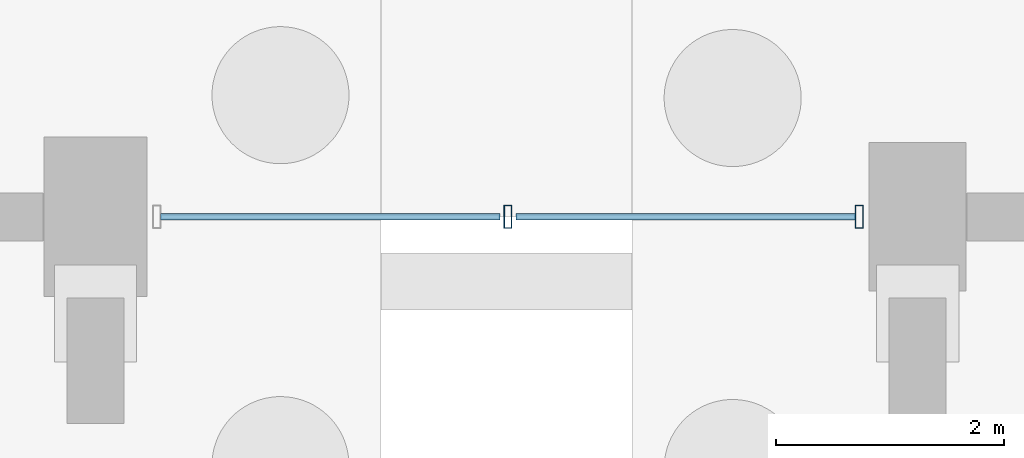
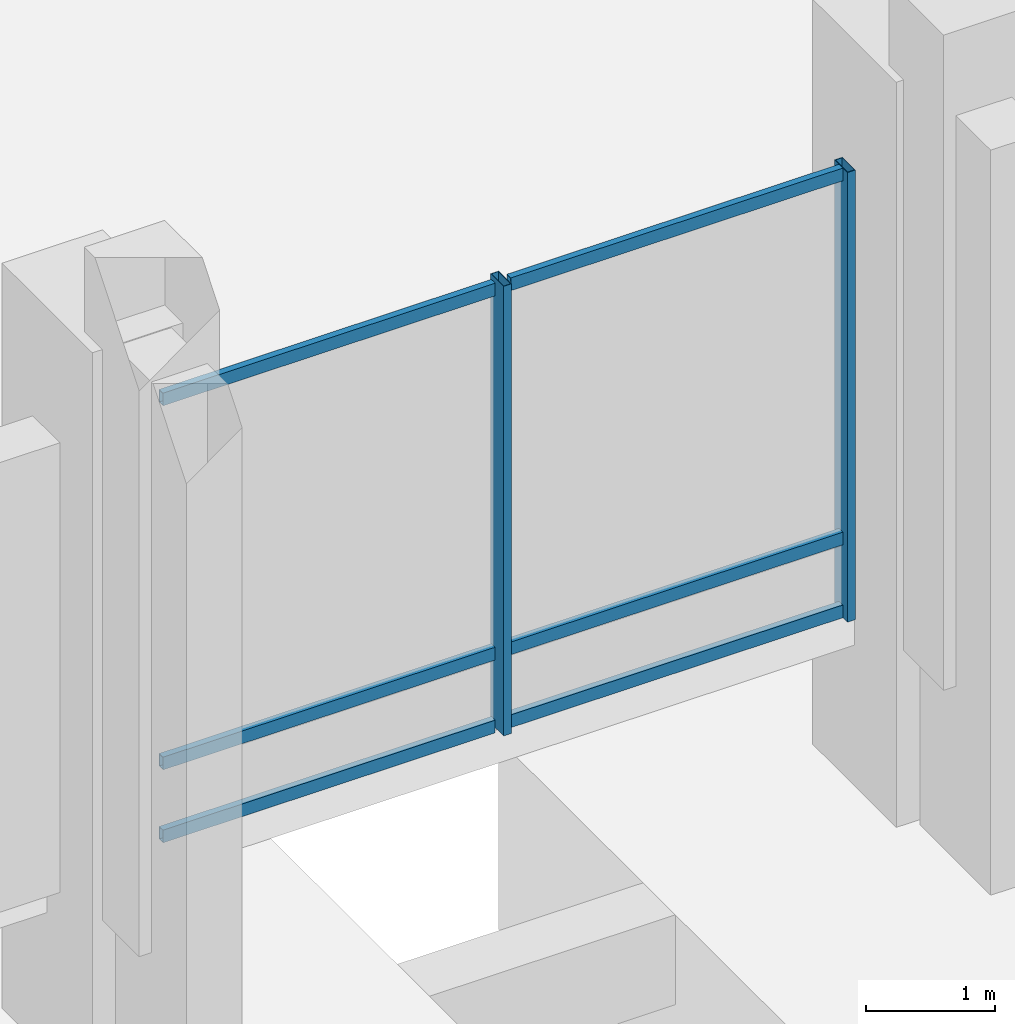
# One storey, part 60 of 192: 8 members, 1 element without a shape of its own.
"""IFC4 building model written with IfcOpenShell, lengths in metres."""

from ifc_helpers import new_model, si_unit, direction, frame, origin, origin_2d, place, context, subcontext, project, spatial, hollow_rectangle, extrude, material, material_profile, profile_set, type_object, element, aggregate, save


model = new_model("IFC4")

# Units and contexts
model_context = context("Model", 3, precision=1e-05, world=origin(), true_north=direction((0.0, 1.0)))
body_context = subcontext(model_context, "Body", "Model", "MODEL_VIEW")
ifc_project = project(units=[si_unit("LENGTHUNIT", "METRE"), si_unit("AREAUNIT", "SQUARE_METRE"), si_unit("VOLUMEUNIT", "CUBIC_METRE"), si_unit("PLANEANGLEUNIT", "RADIAN"), si_unit("MASSUNIT", "GRAM", prefix="KILO")], contexts=[model_context])

# Site, building, storey
site_placement = place(None, origin())
site = spatial("IfcSite", under=ifc_project, at=site_placement, CompositionType="ELEMENT")
building_placement = place(site_placement, origin())
building = spatial("IfcBuilding", under=site, at=building_placement, Name="Cendralis Lancet Convention Centre", CompositionType="ELEMENT")
storey_placement = place(building_placement, origin())
storey = spatial("IfcBuildingStorey", under=building, at=storey_placement, Name="L00", CompositionType="ELEMENT", Elevation=0.0)

# Curtain wall, members
ifc_material = material(Name="Anodised bronze architectural aluminium", Category="aluminium")
curtain_wall_type = type_object("IfcCurtainWallType", Name="ARC-CW-CL01", PredefinedType="USERDEFINED", material=ifc_material)
curtain_wall_placement = place(storey_placement, origin())
curtain_wall = element("IfcCurtainWall", 1, at=curtain_wall_placement, inside=storey, type_object=curtain_wall_type, Name="L00 Curtain Wall CW-CL1 #092", ObjectType="CURTAIN WALL", PredefinedType="USERDEFINED")
ifc_material_profile_1 = material_profile(ifc_material, hollow_rectangle(XDim=0.070068359375, YDim=0.199951171875, WallThickness=0.0048828125, at=origin_2d()), Name="AL-MULL 70x200x5.0")
ifc_profile_set_1 = profile_set([ifc_material_profile_1], Name="Anodised bronze architectural aluminium")
member_type_1 = type_object("IfcMemberType", Name="ARC-CW-ML02", PredefinedType="MULLION", material=ifc_profile_set_1)
member_1_placement = place(storey_placement, frame((100.2900390625, 50.39990234375, 0.0), z_axis=(0.0, 0.0, 1.0), x_axis=(1.0, 0.0, 0.0)))
member_1 = element("IfcMember", 2, at=member_1_placement, type_object=member_type_1, Name="Mullion CW2-CW-CL1-L00-092-M0", PredefinedType="MULLION", context=body_context, shape_type="SweptSolid", body=[
    extrude(hollow_rectangle(XDim=0.070068359375, YDim=0.199951171875, WallThickness=0.0048828125, at=origin_2d()), origin(), (0.0, 0.0, 1.0), 4.2548828125),
])
member_2_placement = place(storey_placement, frame((97.21240234375, 50.39990234375, 0.0), z_axis=(0.0, 0.0, 1.0), x_axis=(1.0, 0.0, 0.0)))
member_2 = element("IfcMember", 3, at=member_2_placement, type_object=member_type_1, Name="Mullion CW2-CW-CL1-L00-092-M1", PredefinedType="MULLION", context=body_context, shape_type="SweptSolid", body=[
    extrude(hollow_rectangle(XDim=0.070068359375, YDim=0.199951171875, WallThickness=0.0048828125, at=origin_2d()), origin(), (0.0, 0.0, 1.0), 4.2548828125),
])
ifc_material_profile_2 = material_profile(ifc_material, hollow_rectangle(XDim=0.06005859375, YDim=0.1201171875, WallThickness=0.00390625, at=origin_2d()), Name="AL-TRAN 60x120x4.0")
ifc_profile_set_2 = profile_set([ifc_material_profile_2], Name="Anodised bronze architectural aluminium")
member_type_2 = type_object("IfcMemberType", Name="ARC-CW-TR01", PredefinedType="USERDEFINED", material=ifc_profile_set_2)
member_3_placement = place(storey_placement, frame((100.2548828125, 50.39990234375, 0.06005859375), z_axis=(-1.0, 0.0, 0.0), x_axis=(0.0, -1.0, 0.0)))
member_3 = element("IfcMember", 4, at=member_3_placement, type_object=member_type_2, Name="Transom CW2-CW-CL1-L00-092-T0BOT", ObjectType="TRANSOM", PredefinedType="USERDEFINED", context=body_context, shape_type="SweptSolid", body=[
    extrude(hollow_rectangle(XDim=0.06005859375, YDim=0.1201171875, WallThickness=0.00390625, at=origin_2d()), origin(), (0.0, 0.0, 1.0), 2.972412109375),
])
member_4_placement = place(storey_placement, frame((100.2548828125, 50.39990234375, 0.75), z_axis=(-1.0, 0.0, 0.0), x_axis=(0.0, -1.0, 0.0)))
member_4 = element("IfcMember", 5, at=member_4_placement, type_object=member_type_2, Name="Transom CW2-CW-CL1-L00-092-T0MID", ObjectType="TRANSOM", PredefinedType="USERDEFINED", context=body_context, shape_type="SweptSolid", body=[
    extrude(hollow_rectangle(XDim=0.06005859375, YDim=0.1201171875, WallThickness=0.00390625, at=origin_2d()), origin(), (0.0, 0.0, 1.0), 2.972412109375),
])
member_5_placement = place(storey_placement, frame((100.2548828125, 50.39990234375, 4.195068359375), z_axis=(-1.0, 0.0, 0.0), x_axis=(0.0, -1.0, 0.0)))
member_5 = element("IfcMember", 6, at=member_5_placement, type_object=member_type_2, Name="Transom CW2-CW-CL1-L00-092-T0TOP", ObjectType="TRANSOM", PredefinedType="USERDEFINED", context=body_context, shape_type="SweptSolid", body=[
    extrude(hollow_rectangle(XDim=0.06005859375, YDim=0.1201171875, WallThickness=0.00390625, at=origin_2d()), origin(), (0.0, 0.0, 1.0), 2.972412109375),
])
member_6_placement = place(storey_placement, frame((97.142578125, 50.39990234375, 0.06005859375), z_axis=(-1.0, 0.0, 0.0), x_axis=(0.0, -1.0, 0.0)))
member_6 = element("IfcMember", 7, at=member_6_placement, type_object=member_type_2, Name="Transom CW2-CW-CL1-L00-092-T1BOT", ObjectType="TRANSOM", PredefinedType="USERDEFINED", context=body_context, shape_type="SweptSolid", body=[
    extrude(hollow_rectangle(XDim=0.06005859375, YDim=0.1201171875, WallThickness=0.00390625, at=origin_2d()), origin(), (0.0, 0.0, 1.0), 2.97265625),
])
member_7_placement = place(storey_placement, frame((97.142578125, 50.39990234375, 0.75), z_axis=(-1.0, 0.0, 0.0), x_axis=(0.0, -1.0, 0.0)))
member_7 = element("IfcMember", 8, at=member_7_placement, type_object=member_type_2, Name="Transom CW2-CW-CL1-L00-092-T1MID", ObjectType="TRANSOM", PredefinedType="USERDEFINED", context=body_context, shape_type="SweptSolid", body=[
    extrude(hollow_rectangle(XDim=0.06005859375, YDim=0.1201171875, WallThickness=0.00390625, at=origin_2d()), origin(), (0.0, 0.0, 1.0), 2.97265625),
])
member_8_placement = place(storey_placement, frame((97.142578125, 50.39990234375, 4.195068359375), z_axis=(-1.0, 0.0, 0.0), x_axis=(0.0, -1.0, 0.0)))
member_8 = element("IfcMember", 9, at=member_8_placement, type_object=member_type_2, Name="Transom CW2-CW-CL1-L00-092-T1TOP", ObjectType="TRANSOM", PredefinedType="USERDEFINED", context=body_context, shape_type="SweptSolid", body=[
    extrude(hollow_rectangle(XDim=0.06005859375, YDim=0.1201171875, WallThickness=0.00390625, at=origin_2d()), origin(), (0.0, 0.0, 1.0), 2.97265625),
])
aggregate(curtain_wall, [member_1, member_2, member_3, member_4, member_5, member_6, member_7, member_8])

save(model, "model.ifc")
